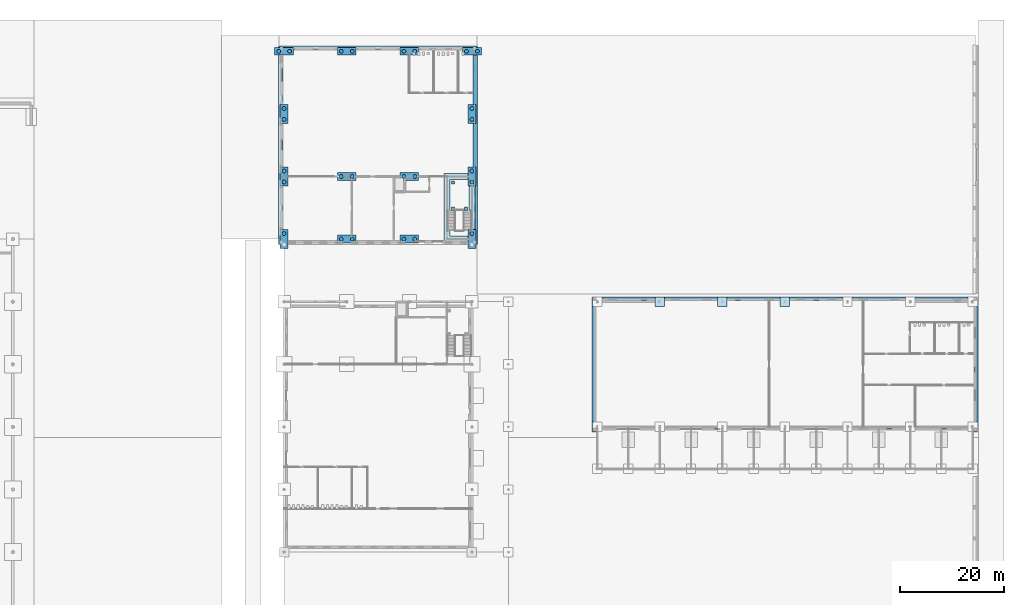
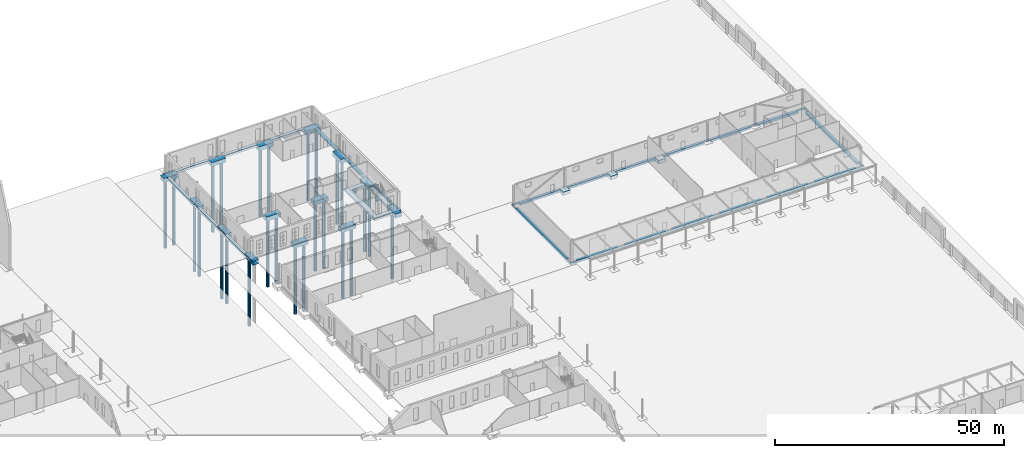
# One storey, part 6 of 132: 26 footings, 26 piles.
"""IFC4 building model written with IfcOpenShell, lengths in metres."""

from ifc_helpers import new_model, si_unit, direction, frame, origin, origin_2d, place, context, subcontext, project, spatial, polyline, rectangle, circle, outline, extrude, material, material_profile, profile_set, type_object, element, save


model = new_model("IFC4")

# Units and contexts
model_context = context("Model", 3, precision=1e-05, world=origin(), true_north=direction((0.0, 1.0)))
body_context = subcontext(model_context, "Body", "Model", "MODEL_VIEW")
ifc_project = project(units=[si_unit("LENGTHUNIT", "METRE"), si_unit("AREAUNIT", "SQUARE_METRE"), si_unit("VOLUMEUNIT", "CUBIC_METRE"), si_unit("PLANEANGLEUNIT", "RADIAN"), si_unit("MASSUNIT", "GRAM", prefix="KILO")], contexts=[model_context])

# Site, building, storey
site_placement = place(None, origin())
site = spatial("IfcSite", under=ifc_project, at=site_placement, CompositionType="ELEMENT")
building_placement = place(site_placement, origin())
building = spatial("IfcBuilding", under=site, at=building_placement, Name="Ravi Spectrum Wholesale Market", CompositionType="ELEMENT")
storey_placement = place(building_placement, origin())
storey = spatial("IfcBuildingStorey", under=building, at=storey_placement, Name="L00", CompositionType="ELEMENT", Elevation=0.0)

# Piles
ifc_material_1 = material(Name="Concrete C35/45", Category="concrete")
ifc_material_profile = material_profile(ifc_material_1, circle(Radius=0.375, at=origin_2d()))
ifc_profile_set = profile_set([ifc_material_profile], Name="Concrete C35/45")
pile_type = type_object("IfcPileType", Name="Bored pile D750", PredefinedType="BORED", material=ifc_profile_set)
for number, where, z_axis, x_axis, name in (
    (1, (162.0, 199.050048828125, -1.0), (0.0, 0.0, -1.0), (1.0, 0.0, 0.0), "AU-PL-L00-002"),
    (2, (162.0, 208.949951171875, -1.0), (0.0, 0.0, -1.0), (1.0, 0.0, 0.0), "AU-PL-L00-003"),
    (3, (162.0, 211.050048828125, -1.0), (0.0, 0.0, -1.0), (1.0, 0.0, 0.0), "AU-PL-L00-004"),
    (4, (162.0, 220.949951171875, -1.0), (0.0, 0.0, -1.0), (1.0, 0.0, 0.0), "AU-PL-L00-005"),
    (5, (162.0, 223.050048828125, -1.0), (0.0, 0.0, -1.0), (1.0, 0.0, 0.0), "AU-PL-L00-006"),
    (6, (160.949951171875, 234.0, -1.0), (0.0, 0.0, -1.0), (1.0, 0.0, 0.0), "AU-PL-L00-007"),
    (7, (163.050048828125, 234.0, -1.0), (0.0, 0.0, -1.0), (1.0, 0.0, 0.0), "AU-PL-L00-008"),
    (8, (172.949951171875, 198.0, -1.0), (0.0, 0.0, -1.0), (1.0, 0.0, 0.0), "AU-PL-L00-009"),
    (9, (175.050048828125, 198.0, -1.0), (0.0, 0.0, -1.0), (1.0, 0.0, 0.0), "AU-PL-L00-010"),
    (10, (172.949951171875, 210.0, -1.0), (0.0, 0.0, -1.0), (1.0, 0.0, 0.0), "AU-PL-L00-011"),
    (11, (175.050048828125, 210.0, -1.0), (0.0, 0.0, -1.0), (1.0, 0.0, 0.0), "AU-PL-L00-012"),
    (12, (172.949951171875, 234.0, -1.0), (0.0, 0.0, -1.0), (1.0, 0.0, 0.0), "AU-PL-L00-013"),
    (13, (175.050048828125, 234.0, -1.0), (0.0, 0.0, -1.0), (1.0, 0.0, 0.0), "AU-PL-L00-014"),
    (14, (184.949951171875, 198.0, -1.0), (0.0, 0.0, -1.0), (1.0, 0.0, 0.0), "AU-PL-L00-015"),
    (15, (187.050048828125, 198.0, -1.0), (0.0, 0.0, -1.0), (1.0, 0.0, 0.0), "AU-PL-L00-016"),
    (16, (184.949951171875, 210.0, -1.0), (0.0, 0.0, -1.0), (1.0, 0.0, 0.0), "AU-PL-L00-017"),
    (17, (187.050048828125, 210.0, -1.0), (0.0, 0.0, -1.0), (1.0, 0.0, 0.0), "AU-PL-L00-018"),
    (18, (184.949951171875, 234.0, -1.0), (0.0, 0.0, -1.0), (1.0, 0.0, 0.0), "AU-PL-L00-019"),
    (19, (187.050048828125, 234.0, -1.0), (0.0, 0.0, -1.0), (1.0, 0.0, 0.0), "AU-PL-L00-020"),
    (20, (198.0, 199.050048828125, -1.0), (0.0, 0.0, -1.0), (1.0, 0.0, 0.0), "AU-PL-L00-022"),
    (21, (198.0, 208.949951171875, -1.0), (0.0, 0.0, -1.0), (1.0, 0.0, 0.0), "AU-PL-L00-023"),
    (22, (198.0, 211.050048828125, -1.0), (0.0, 0.0, -1.0), (1.0, 0.0, 0.0), "AU-PL-L00-024"),
    (23, (198.0, 220.949951171875, -1.0), (0.0, 0.0, -1.0), (1.0, 0.0, 0.0), "AU-PL-L00-025"),
    (24, (198.0, 223.050048828125, -1.0), (0.0, 0.0, -1.0), (1.0, 0.0, 0.0), "AU-PL-L00-026"),
    (25, (196.949951171875, 234.0, -1.0), (0.0, 0.0, -1.0), (1.0, 0.0, 0.0), "AU-PL-L00-027"),
    (26, (199.050048828125, 234.0, -1.0), (0.0, 0.0, -1.0), (1.0, 0.0, 0.0), "AU-PL-L00-028"),
):
    element("IfcPile", number, at=place(storey_placement, frame(where, z_axis=z_axis, x_axis=x_axis)), inside=storey, type_object=pile_type, Name=name, PredefinedType="BORED", context=body_context, shape_type="SweptSolid", body=[
        extrude(circle(Radius=0.375, at=origin_2d()), origin(), (0.0, 0.0, 1.0), 18.10009765625),
    ])

# Footings
ifc_material_2 = material(Name="Concrete C35/45", Category="concrete")
footing_type_1 = type_object("IfcFootingType", Name="Facade plinth footing 690 x 600", PredefinedType="STRIP_FOOTING", material=ifc_material_2)
footing_1_placement = place(storey_placement, frame((0.0, 0.0, -0.60009765625)))
element("IfcFooting", 27, at=footing_1_placement, inside=storey, type_object=footing_type_1, Name="Facade plinth footing", PredefinedType="STRIP_FOOTING", context=body_context, shape_type="SweptSolid", body=[
    extrude(outline(polyline([(294.93994140625, 161.06005859375), (221.06005859375, 161.06005859375), (221.06005859375, 186.93994140625), (294.93994140625, 186.93994140625), (294.93994140625, 161.06005859375)]), holes=[polyline([(245.10009765625, 161.75), (245.10009765625, 161.10009765625), (246.89990234375, 161.10009765625), (246.89990234375, 161.75), (257.10009765625, 161.75), (257.10009765625, 161.10009765625), (258.89990234375, 161.10009765625), (258.89990234375, 161.75), (269.10009765625, 161.75), (269.10009765625, 161.10009765625), (270.89990234375, 161.10009765625), (270.89990234375, 161.75), (281.10009765625, 161.75), (281.10009765625, 161.10009765625), (282.89990234375, 161.10009765625), (282.89990234375, 161.75), (293.10009765625, 161.75), (293.10009765625, 161.10009765625), (294.89990234375, 161.10009765625), (294.89990234375, 162.89990234375), (294.25, 162.89990234375), (294.25, 185.10009765625), (294.89990234375, 185.10009765625), (294.89990234375, 186.89990234375), (293.10009765625, 186.89990234375), (293.10009765625, 186.25), (282.89990234375, 186.25), (282.89990234375, 186.89990234375), (281.10009765625, 186.89990234375), (281.10009765625, 186.25), (270.89990234375, 186.25), (270.89990234375, 186.89990234375), (269.10009765625, 186.89990234375), (269.10009765625, 186.25), (258.89990234375, 186.25), (258.89990234375, 186.89990234375), (257.10009765625, 186.89990234375), (257.10009765625, 186.25), (246.89990234375, 186.25), (246.89990234375, 186.89990234375), (245.10009765625, 186.89990234375), (245.10009765625, 186.25), (234.89990234375, 186.25), (234.89990234375, 186.89990234375), (233.10009765625, 186.89990234375), (233.10009765625, 186.25), (222.89990234375, 186.25), (222.89990234375, 186.89990234375), (221.10009765625, 186.89990234375), (221.10009765625, 185.10009765625), (221.75, 185.10009765625), (221.75, 162.89990234375), (221.10009765625, 162.89990234375), (221.10009765625, 161.10009765625), (222.89990234375, 161.10009765625), (222.89990234375, 161.75), (233.10009765625, 161.75), (233.10009765625, 161.10009765625), (234.89990234375, 161.10009765625), (234.89990234375, 161.75), (245.10009765625, 161.75)])]), origin(), (0.0, 0.0, 1.0), 0.60009765625),
])
ifc_material_3 = material(Name="Concrete C35/45", Category="concrete")
footing_type_2 = type_object("IfcFootingType", Name="Facade plinth footing 810 x 600", PredefinedType="STRIP_FOOTING", material=ifc_material_3)
footing_2_placement = place(storey_placement, frame((0.0, 0.0, -0.60009765625)))
element("IfcFooting", 28, at=footing_2_placement, inside=storey, type_object=footing_type_2, Name="Facade plinth footing", PredefinedType="STRIP_FOOTING", context=body_context, shape_type="SweptSolid", body=[
    extrude(outline(polyline([(198.75, 223.800048828125), (198.25, 223.800048828125), (198.25, 233.25), (199.06005859375, 233.25), (199.06005859375, 196.93994140625), (198.75, 196.93994140625), (198.75, 199.800048828125), (198.60009765625, 199.800048828125), (198.60009765625, 208.199951171875), (198.75, 208.199951171875), (198.75, 211.800048828125), (198.25, 211.800048828125), (198.25, 220.199951171875), (198.75, 220.199951171875), (198.75, 223.800048828125)])), origin(), (0.0, 0.0, 1.0), 0.60009765625),
])
footing_3_placement = place(storey_placement, frame((0.0, 0.0, -0.60009765625)))
element("IfcFooting", 29, at=footing_3_placement, inside=storey, type_object=footing_type_2, Name="Facade plinth footing", PredefinedType="STRIP_FOOTING", context=body_context, shape_type="SweptSolid", body=[
    extrude(outline(polyline([(163.800048828125, 234.25), (163.800048828125, 234.75), (160.93994140625, 234.75), (160.93994140625, 235.06005859375), (199.06005859375, 235.06005859375), (199.06005859375, 234.75), (196.199951171875, 234.75), (196.199951171875, 234.25), (187.800048828125, 234.25), (187.800048828125, 234.75), (184.199951171875, 234.75), (184.199951171875, 234.25), (175.800048828125, 234.25), (175.800048828125, 234.75), (172.199951171875, 234.75), (172.199951171875, 234.25), (163.800048828125, 234.25)])), origin(), (0.0, 0.0, 1.0), 0.60009765625),
])
footing_4_placement = place(storey_placement, frame((0.0, 0.0, -0.60009765625)))
element("IfcFooting", 30, at=footing_4_placement, inside=storey, type_object=footing_type_2, Name="Facade plinth footing", PredefinedType="STRIP_FOOTING", context=body_context, shape_type="SweptSolid", body=[
    extrude(outline(polyline([(161.25, 220.199951171875), (161.75, 220.199951171875), (161.75, 211.800048828125), (161.25, 211.800048828125), (161.25, 208.199951171875), (161.75, 208.199951171875), (161.75, 199.800048828125), (161.25, 199.800048828125), (161.25, 196.93994140625), (160.93994140625, 196.93994140625), (160.93994140625, 233.25), (161.75, 233.25), (161.75, 223.800048828125), (161.25, 223.800048828125), (161.25, 220.199951171875)])), origin(), (0.0, 0.0, 1.0), 0.60009765625),
])
ifc_material_4 = material(Name="Concrete C35/45", Category="concrete")
footing_type_3 = type_object("IfcFootingType", Name="Pad footing 1800x1800x900", PredefinedType="PAD_FOOTING", material=ifc_material_4)
for number, where, z_axis, x_axis, name in (
    (31, (234.0, 186.0, -0.89990234375), (0.0, 0.0, 1.0), (1.0, 0.0, 0.0), "GS-PF-L00-004"),
    (32, (246.0, 186.0, -0.89990234375), (0.0, 0.0, 1.0), (1.0, 0.0, 0.0), "GS-PF-L00-006"),
    (33, (258.0, 186.0, -0.89990234375), (0.0, 0.0, 1.0), (1.0, 0.0, 0.0), "GS-PF-L00-008"),
):
    element("IfcFooting", number, at=place(storey_placement, frame(where, z_axis=z_axis, x_axis=x_axis)), inside=storey, type_object=footing_type_3, Name=name, PredefinedType="PAD_FOOTING", context=body_context, shape_type="SweptSolid", body=[
        extrude(rectangle(XDim=1.800048828125, YDim=1.800048828125, at=origin_2d()), origin(), (0.0, 0.0, 1.0), 0.89990234375),
    ])
ifc_material_5 = material(Name="Concrete C35/45", Category="concrete")
footing_type_4 = type_object("IfcFootingType", Name="Pad footing 600x600x900", PredefinedType="PAD_FOOTING", material=ifc_material_5)
for number, where, z_axis, x_axis, name in (
    (34, (194.35009765625, 203.820068359375, -0.89990234375), (0.0, 0.0, 1.0), (1.0, 0.0, 0.0), "AU-PF-L00-001"),
    (35, (194.35009765625, 208.845947265625, -0.89990234375), (0.0, 0.0, 1.0), (1.0, 0.0, 0.0), "AU-PF-L00-002"),
    (36, (196.85009765625, 203.820068359375, -0.89990234375), (0.0, 0.0, 1.0), (1.0, 0.0, 0.0), "AU-PF-L00-003"),
):
    element("IfcFooting", number, at=place(storey_placement, frame(where, z_axis=z_axis, x_axis=x_axis)), inside=storey, type_object=footing_type_4, Name=name, PredefinedType="PAD_FOOTING", context=body_context, shape_type="SweptSolid", body=[
        extrude(rectangle(XDim=0.60009765625, YDim=0.60009765625, at=origin_2d()), origin(), (0.0, 0.0, 1.0), 0.89990234375),
    ])
ifc_material_6 = material(Name="Concrete C35/45", Category="concrete")
footing_type_5 = type_object("IfcFootingType", Name="Pile cap 2 piles 3600x1500x1100", PredefinedType="PILE_CAP", material=ifc_material_6)
for number, where, z_axis, x_axis, name in (
    (37, (162.0, 198.0, -1.10009765625), (0.0, 0.0, 1.0), (0.0, 1.0, 0.0), "AU-PC-L00-001"),
    (38, (162.0, 210.0, -1.10009765625), (0.0, 0.0, 1.0), (0.0, 1.0, 0.0), "AU-PC-L00-002"),
    (39, (162.0, 222.0, -1.10009765625), (0.0, 0.0, 1.0), (0.0, 1.0, 0.0), "AU-PC-L00-003"),
    (40, (162.0, 234.0, -1.10009765625), (0.0, 0.0, 1.0), (1.0, 0.0, 0.0), "AU-PC-L00-004"),
    (41, (174.0, 198.0, -1.10009765625), (0.0, 0.0, 1.0), (1.0, 0.0, 0.0), "AU-PC-L00-005"),
    (42, (174.0, 210.0, -1.10009765625), (0.0, 0.0, 1.0), (1.0, 0.0, 0.0), "AU-PC-L00-006"),
    (43, (174.0, 234.0, -1.10009765625), (0.0, 0.0, 1.0), (1.0, 0.0, 0.0), "AU-PC-L00-007"),
    (44, (186.0, 198.0, -1.10009765625), (0.0, 0.0, 1.0), (1.0, 0.0, 0.0), "AU-PC-L00-008"),
    (45, (186.0, 210.0, -1.10009765625), (0.0, 0.0, 1.0), (1.0, 0.0, 0.0), "AU-PC-L00-009"),
    (46, (186.0, 234.0, -1.10009765625), (0.0, 0.0, 1.0), (1.0, 0.0, 0.0), "AU-PC-L00-010"),
    (47, (198.0, 198.0, -1.10009765625), (0.0, 0.0, 1.0), (0.0, 1.0, 0.0), "AU-PC-L00-011"),
    (48, (198.0, 210.0, -1.10009765625), (0.0, 0.0, 1.0), (0.0, 1.0, 0.0), "AU-PC-L00-012"),
    (49, (198.0, 222.0, -1.10009765625), (0.0, 0.0, 1.0), (0.0, 1.0, 0.0), "AU-PC-L00-013"),
    (50, (198.0, 234.0, -1.10009765625), (0.0, 0.0, 1.0), (1.0, 0.0, 0.0), "AU-PC-L00-014"),
):
    element("IfcFooting", number, at=place(storey_placement, frame(where, z_axis=z_axis, x_axis=x_axis)), inside=storey, type_object=footing_type_5, Name=name, PredefinedType="PILE_CAP", context=body_context, shape_type="SweptSolid", body=[
        extrude(rectangle(XDim=3.60009765625, YDim=1.5, at=origin_2d()), origin(), (0.0, 0.0, 1.0), 1.10009765625),
    ])
ifc_material_7 = material(Name="Concrete C35/45", Category="concrete")
footing_type_6 = type_object("IfcFootingType", Name="Strip footing 1200x600", PredefinedType="STRIP_FOOTING", material=ifc_material_7)
footing_5_placement = place(storey_placement, frame((0.0, 0.0, -0.89990234375)))
element("IfcFooting", 51, at=footing_5_placement, inside=storey, type_object=footing_type_6, Name="AU-SF-L00-001", PredefinedType="STRIP_FOOTING", context=body_context, shape_type="SweptSolid", body=[
    extrude(outline(polyline([(192.60009765625, 210.60009765625), (197.25, 210.60009765625), (197.25, 209.39990234375), (193.800048828125, 209.39990234375), (193.800048828125, 198.60009765625), (197.25, 198.60009765625), (197.25, 197.39990234375), (192.60009765625, 197.39990234375), (192.60009765625, 210.60009765625)])), origin(), (0.0, 0.0, 1.0), 0.599853515625),
])
footing_6_placement = place(storey_placement, frame((0.0, 0.0, -0.89990234375)))
element("IfcFooting", 52, at=footing_6_placement, inside=storey, type_object=footing_type_6, Name="AU-SF-L00-002", PredefinedType="STRIP_FOOTING", context=body_context, shape_type="SweptSolid", body=[
    extrude(outline(polyline([(198.60009765625, 199.800048828125), (197.39990234375, 199.800048828125), (197.39990234375, 208.199951171875), (198.60009765625, 208.199951171875), (198.60009765625, 199.800048828125)])), origin(), (0.0, 0.0, 1.0), 0.599853515625),
])

save(model, "model.ifc")
